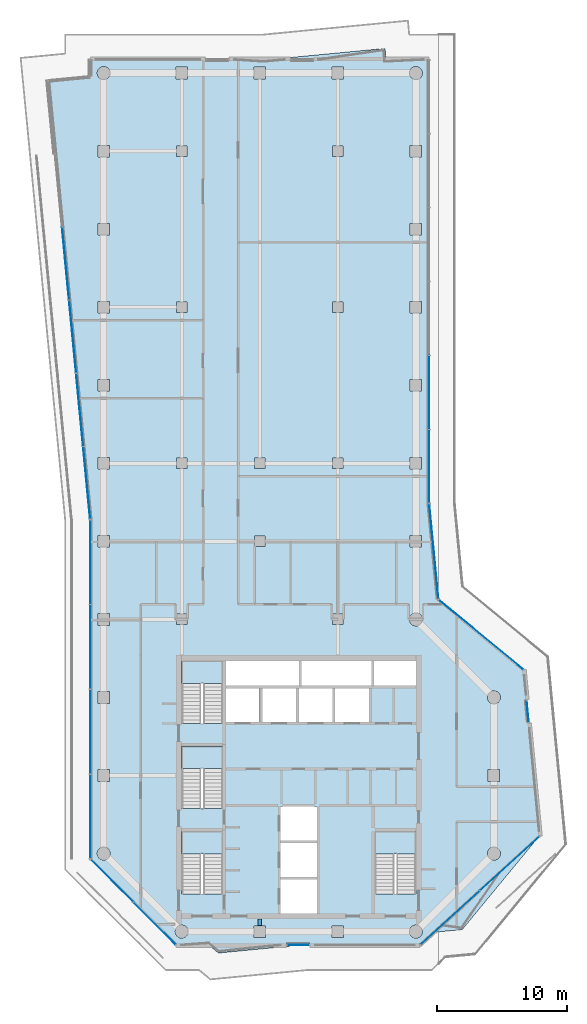
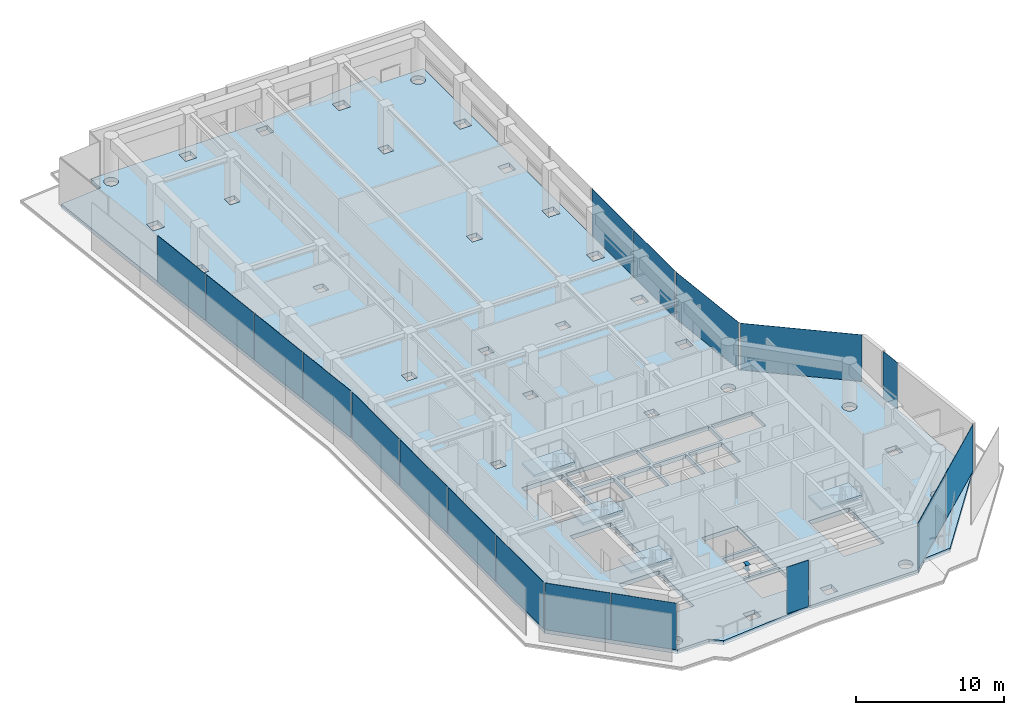
# One storey, part 17 of 23: 18 plates, 5 slabs, 1 beam, 13 elements without a shape of their own.
"""IFC4 building model written with IfcOpenShell, lengths in metres."""

from ifc_helpers import new_model, si_unit, direction, frame, origin, origin_2d, place, context, subcontext, project, spatial, polyline, rectangle, i_section, outline, extrude, material, layer, layer_set, material_profile, profile_set, type_object, element, aggregate, save


model = new_model("IFC4")

# Units and contexts
model_context = context("Model", 3, precision=1e-05, world=origin(), true_north=direction((0.0, 1.0)))
body_context = subcontext(model_context, "Body", "Model", "MODEL_VIEW")
ifc_project = project(units=[si_unit("LENGTHUNIT", "METRE"), si_unit("AREAUNIT", "SQUARE_METRE"), si_unit("VOLUMEUNIT", "CUBIC_METRE"), si_unit("PLANEANGLEUNIT", "RADIAN"), si_unit("MASSUNIT", "GRAM", prefix="KILO")], contexts=[model_context])

# Site, building, storey
site_placement = place(None, origin())
site = spatial("IfcSite", under=ifc_project, at=site_placement, CompositionType="ELEMENT")
building_placement = place(site_placement, origin())
building = spatial("IfcBuilding", under=site, at=building_placement, Name="Welwitschia Terrace Campus", CompositionType="ELEMENT")
storey_placement = place(building_placement, frame((0.0, 0.0, 205.39990234375)))
storey = spatial("IfcBuildingStorey", under=building, at=storey_placement, Name="L45", CompositionType="ELEMENT", Elevation=205.39990234375)

# Beam
ifc_material_1 = material(Name="Steel S355", Category="steel")
ifc_material_profile = material_profile(ifc_material_1, i_section(OverallWidth=0.300048828125, OverallDepth=0.489990234375, WebThickness=0.011962890625, FlangeThickness=0.02294921875, FilletRadius=0.027099609375, at=origin_2d()))
ifc_profile_set = profile_set([ifc_material_profile], Name="Steel S355")
beam_type = type_object("IfcBeamType", Name="Primary beam HE 500 A", PredefinedType="BEAM", material=ifc_profile_set)
beam_placement = place(storey_placement, frame((12.0, 4.450439453125, 3.60498046875), z_axis=(0.0, 1.0, 0.0), x_axis=(-1.0, 0.0, 0.0)))
element("IfcBeam", 1, at=beam_placement, inside=storey, type_object=beam_type, Name="Primary beam PB5", PredefinedType="BEAM", context=body_context, shape_type="SweptSolid", body=[
    extrude(i_section(OverallWidth=0.300048828125, OverallDepth=0.489990234375, WebThickness=0.011962890625, FlangeThickness=0.02294921875, FilletRadius=0.027099609375, at=origin_2d()), origin(), (0.0, 0.0, 1.0), 0.49951171875),
])

# Curtain wall, plates
ifc_material_2 = material(Name="Bronze anodised aluminium", Category="aluminium")
ifc_layer_1 = layer(ifc_material_2, 0.1201171875)
ifc_layer_set_1 = layer_set([ifc_layer_1], Name="Bronze anodised aluminium")
curtain_wall_type = type_object("IfcCurtainWallType", Name="Curtain wall CW2 tower 6000", PredefinedType="NOTDEFINED", material=ifc_layer_set_1)
curtain_wall_1_placement = place(storey_placement, origin())
curtain_wall_1 = element("IfcCurtainWall", 2, at=curtain_wall_1_placement, inside=storey, type_object=curtain_wall_type, Name="CW L45.0.0", PredefinedType="NOTDEFINED")
ifc_material_3 = material(Name="Tinted bronze-grey glass", Category="glass")
ifc_layer_2 = layer(ifc_material_3, 0.028076171875)
ifc_layer_set_2 = layer_set([ifc_layer_2], Name="Tinted bronze-grey glass")
plate_type = type_object("IfcPlateType", Name="Glass panel 28 tinted", PredefinedType="CURTAIN_PANEL", material=ifc_layer_set_2)
plate_1_placement = place(storey_placement, frame((-1.030029296875, 32.390625, 0.0), z_axis=(0.0, 0.0, 1.0), x_axis=(0.0, -1.0, 0.0)))
plate_1 = element("IfcPlate", 3, at=plate_1_placement, type_object=plate_type, Name="Panel L45.0.0.0", PredefinedType="CURTAIN_PANEL", context=body_context, shape_type="SweptSolid", body=[
    extrude(rectangle(XDim=6.43359375, YDim=0.028076171875, at=origin_2d()), origin(), (0.0, 0.0, 1.0), 3.85009765625),
])
plate_2_placement = place(storey_placement, frame((-1.030029296875, 25.882080078125, 0.0), z_axis=(0.0, 0.0, 1.0), x_axis=(0.0, -1.0, 0.0)))
plate_2 = element("IfcPlate", 4, at=plate_2_placement, type_object=plate_type, Name="Panel L45.0.0.1", PredefinedType="CURTAIN_PANEL", context=body_context, shape_type="SweptSolid", body=[
    extrude(rectangle(XDim=6.463623046875, YDim=0.028076171875, at=origin_2d()), origin(), (0.0, 0.0, 1.0), 3.85009765625),
])
plate_3_placement = place(storey_placement, frame((-1.030029296875, 19.358642578125, 0.0), z_axis=(0.0, 0.0, 1.0), x_axis=(0.0, -1.0, 0.0)))
plate_3 = element("IfcPlate", 5, at=plate_3_placement, type_object=plate_type, Name="Panel L45.0.0.2", PredefinedType="CURTAIN_PANEL", context=body_context, shape_type="SweptSolid", body=[
    extrude(rectangle(XDim=6.463623046875, YDim=0.028076171875, at=origin_2d()), origin(), (0.0, 0.0, 1.0), 3.85009765625),
])
plate_4_placement = place(storey_placement, frame((-1.030029296875, 12.85009765625, 0.0), z_axis=(0.0, 0.0, 1.0), x_axis=(0.0, -1.0, 0.0)))
plate_4 = element("IfcPlate", 6, at=plate_4_placement, type_object=plate_type, Name="Panel L45.0.0.3", PredefinedType="CURTAIN_PANEL", context=body_context, shape_type="SweptSolid", body=[
    extrude(rectangle(XDim=6.43359375, YDim=0.028076171875, at=origin_2d()), origin(), (0.0, 0.0, 1.0), 3.85009765625),
])
aggregate(curtain_wall_1, [plate_1, plate_2, plate_3, plate_4])

curtain_wall_2_placement = place(storey_placement, origin())
curtain_wall_2 = element("IfcCurtainWall", 7, at=curtain_wall_2_placement, inside=storey, type_object=curtain_wall_type, Name="CW L45.1.0", PredefinedType="NOTDEFINED")
plate_5_placement = place(storey_placement, frame((0.63134765625, 7.911865234375, 0.0), z_axis=(0.0, 0.0, 1.0), x_axis=(0.707106781187, -0.707106781187, 0.0)))
plate_5 = element("IfcPlate", 8, at=plate_5_placement, type_object=plate_type, Name="Panel L45.1.0.0", PredefinedType="CURTAIN_PANEL", context=body_context, shape_type="SweptSolid", body=[
    extrude(rectangle(XDim=4.579345703125, YDim=0.028076171875, at=origin_2d()), origin(), (0.0, 0.0, 1.0), 3.85009765625),
])
plate_6_placement = place(storey_placement, frame((3.911865234375, 4.63134765625, 0.0), z_axis=(0.0, 0.0, 1.0), x_axis=(0.707106781187, -0.707106781187, 0.0)))
plate_6 = element("IfcPlate", 9, at=plate_6_placement, type_object=plate_type, Name="Panel L45.1.0.1", PredefinedType="CURTAIN_PANEL", context=body_context, shape_type="SweptSolid", body=[
    extrude(rectangle(XDim=4.579345703125, YDim=0.028076171875, at=origin_2d()), origin(), (0.0, 0.0, 1.0), 3.85009765625),
])
aggregate(curtain_wall_2, [plate_5, plate_6])

# Curtain wall, plate
curtain_wall_3_placement = place(storey_placement, origin())
curtain_wall_3 = element("IfcCurtainWall", 10, at=curtain_wall_3_placement, inside=storey, type_object=curtain_wall_type, Name="CW L45.2.S0", PredefinedType="NOTDEFINED")
plate_7_placement = place(storey_placement, frame((14.953369140625, 2.969970703125, 0.0), z_axis=(0.0, 0.0, 1.0), x_axis=(1.0, 0.0, 0.0)))
plate_7 = element("IfcPlate", 11, at=plate_7_placement, type_object=plate_type, Name="Panel L45.2.S0.0", PredefinedType="CURTAIN_PANEL", context=body_context, shape_type="SweptSolid", body=[
    extrude(rectangle(XDim=1.679931640625, YDim=0.028076171875, at=origin_2d()), origin(), (0.0, 0.0, 1.0), 3.85009765625),
])
aggregate(curtain_wall_3, [plate_7])

# Curtain wall, plates
curtain_wall_4_placement = place(storey_placement, origin())
curtain_wall_4 = element("IfcCurtainWall", 12, at=curtain_wall_4_placement, inside=storey, type_object=curtain_wall_type, Name="CW L45.3.0", PredefinedType="NOTDEFINED")
plate_8_placement = place(storey_placement, frame((26.6416015625, 5.070556640625, 0.0), z_axis=(0.0, 0.0, 1.0), x_axis=(0.739585904921, 0.673062173385, 0.0)))
plate_8 = element("IfcPlate", 13, at=plate_8_placement, type_object=plate_type, Name="Panel L45.3.0.0", PredefinedType="CURTAIN_PANEL", context=body_context, shape_type="SweptSolid", body=[
    extrude(rectangle(XDim=6.12158203125, YDim=0.028076171875, at=origin_2d()), origin(), (0.0, 0.0, 1.0), 3.85009765625),
])
plate_9_placement = place(storey_placement, frame((31.21337890625, 9.231201171875, 0.0), z_axis=(0.0, 0.0, 1.0), x_axis=(0.739585904921, 0.673062173385, 0.0)))
plate_9 = element("IfcPlate", 14, at=plate_9_placement, type_object=plate_type, Name="Panel L45.3.0.1", PredefinedType="CURTAIN_PANEL", context=body_context, shape_type="SweptSolid", body=[
    extrude(rectangle(XDim=6.12158203125, YDim=0.028076171875, at=origin_2d()), origin(), (0.0, 0.0, 1.0), 3.85009765625),
])
aggregate(curtain_wall_4, [plate_8, plate_9])

# Curtain wall, plate
curtain_wall_5_placement = place(storey_placement, origin())
curtain_wall_5 = element("IfcCurtainWall", 15, at=curtain_wall_5_placement, inside=storey, type_object=curtain_wall_type, Name="CW L45.4.S0", PredefinedType="NOTDEFINED")
plate_10_placement = place(storey_placement, frame((32.59765625, 20.92724609375, 0.0), z_axis=(0.0, 0.0, 1.0), x_axis=(-0.09584575252, 0.995396198367, 0.0)))
plate_10 = element("IfcPlate", 16, at=plate_10_placement, type_object=plate_type, Name="Panel L45.4.S0.0", PredefinedType="CURTAIN_PANEL", context=body_context, shape_type="SweptSolid", body=[
    extrude(rectangle(XDim=1.679931640625, YDim=0.028076171875, at=origin_2d()), origin(), (0.0, 0.0, 1.0), 3.85009765625),
])
aggregate(curtain_wall_5, [plate_10])

curtain_wall_6_placement = place(storey_placement, origin())
curtain_wall_6 = element("IfcCurtainWall", 17, at=curtain_wall_6_placement, inside=storey, type_object=curtain_wall_type, Name="CW L45.5.0", PredefinedType="NOTDEFINED")
plate_11_placement = place(storey_placement, frame((29.015869140625, 26.824462890625, 0.0), z_axis=(0.0, 0.0, 1.0), x_axis=(-0.771624583388, 0.636078220278, 0.0)))
plate_11 = element("IfcPlate", 18, at=plate_11_placement, type_object=plate_type, Name="Panel L45.5.0.0", PredefinedType="CURTAIN_PANEL", context=body_context, shape_type="SweptSolid", body=[
    extrude(rectangle(XDim=8.365234375, YDim=0.028076171875, at=origin_2d()), origin(), (0.0, 0.0, 1.0), 3.85009765625),
])
aggregate(curtain_wall_6, [plate_11])

curtain_wall_7_placement = place(storey_placement, origin())
curtain_wall_7 = element("IfcCurtainWall", 19, at=curtain_wall_7_placement, inside=storey, type_object=curtain_wall_type, Name="CW L45.6.0", PredefinedType="NOTDEFINED")
plate_12_placement = place(storey_placement, frame((25.385986328125, 33.22119140625, 0.0), z_axis=(0.0, 0.0, 1.0), x_axis=(-0.09584575252, 0.995396198367, 0.0)))
plate_12 = element("IfcPlate", 20, at=plate_12_placement, type_object=plate_type, Name="Panel L45.6.0.0", PredefinedType="CURTAIN_PANEL", context=body_context, shape_type="SweptSolid", body=[
    extrude(rectangle(XDim=7.310302734375, YDim=0.028076171875, at=origin_2d()), origin(), (0.0, 0.0, 1.0), 3.85009765625),
])
aggregate(curtain_wall_7, [plate_12])

# Curtain wall, plates
curtain_wall_8_placement = place(storey_placement, origin())
curtain_wall_8 = element("IfcCurtainWall", 21, at=curtain_wall_8_placement, inside=storey, type_object=curtain_wall_type, Name="CW L45.7.0", PredefinedType="NOTDEFINED")
plate_13_placement = place(storey_placement, frame((25.030029296875, 39.77685546875, 0.0), z_axis=(0.0, 0.0, 1.0), x_axis=(0.0, 1.0, 0.0)))
plate_13 = element("IfcPlate", 22, at=plate_13_placement, type_object=plate_type, Name="Panel L45.7.0.0", PredefinedType="CURTAIN_PANEL", context=body_context, shape_type="SweptSolid", body=[
    extrude(rectangle(XDim=5.59521484375, YDim=0.028076171875, at=origin_2d()), origin(), (0.0, 0.0, 1.0), 3.85009765625),
])
plate_14_placement = place(storey_placement, frame((25.030029296875, 45.447021484375, 0.0), z_axis=(0.0, 0.0, 1.0), x_axis=(0.0, 1.0, 0.0)))
plate_14 = element("IfcPlate", 23, at=plate_14_placement, type_object=plate_type, Name="Panel L45.7.0.1", PredefinedType="CURTAIN_PANEL", context=body_context, shape_type="SweptSolid", body=[
    extrude(rectangle(XDim=5.625244140625, YDim=0.028076171875, at=origin_2d()), origin(), (0.0, 0.0, 1.0), 3.85009765625),
])
aggregate(curtain_wall_8, [plate_13, plate_14])

curtain_wall_9_placement = place(storey_placement, origin())
curtain_wall_9 = element("IfcCurtainWall", 24, at=curtain_wall_9_placement, inside=storey, type_object=curtain_wall_type, Name="CW L45.11.0", PredefinedType="NOTDEFINED")
plate_15_placement = place(storey_placement, frame((-2.926513671875, 55.36376953125, 0.0), z_axis=(0.0, 0.0, 1.0), x_axis=(0.09584575252, -0.995396198367, 0.0)))
plate_15 = element("IfcPlate", 25, at=plate_15_placement, type_object=plate_type, Name="Panel L45.11.0.2", PredefinedType="CURTAIN_PANEL", context=body_context, shape_type="SweptSolid", body=[
    extrude(rectangle(XDim=5.593505859375, YDim=0.028076171875, at=origin_2d()), origin(), (0.0, 0.0, 1.0), 3.85009765625),
])
plate_16_placement = place(storey_placement, frame((-2.384765625, 49.736328125, 0.0), z_axis=(0.0, 0.0, 1.0), x_axis=(0.09584575252, -0.995396198367, 0.0)))
plate_16 = element("IfcPlate", 26, at=plate_16_placement, type_object=plate_type, Name="Panel L45.11.0.3", PredefinedType="CURTAIN_PANEL", context=body_context, shape_type="SweptSolid", body=[
    extrude(rectangle(XDim=5.593505859375, YDim=0.028076171875, at=origin_2d()), origin(), (0.0, 0.0, 1.0), 3.85009765625),
])
plate_17_placement = place(storey_placement, frame((-1.8427734375, 44.108642578125, 0.0), z_axis=(0.0, 0.0, 1.0), x_axis=(0.09584575252, -0.995396198367, 0.0)))
plate_17 = element("IfcPlate", 27, at=plate_17_placement, type_object=plate_type, Name="Panel L45.11.0.4", PredefinedType="CURTAIN_PANEL", context=body_context, shape_type="SweptSolid", body=[
    extrude(rectangle(XDim=5.593505859375, YDim=0.028076171875, at=origin_2d()), origin(), (0.0, 0.0, 1.0), 3.85009765625),
])
plate_18_placement = place(storey_placement, frame((-1.302490234375, 38.49609375, 0.0), z_axis=(0.0, 0.0, 1.0), x_axis=(0.09584575252, -0.995396198367, 0.0)))
plate_18 = element("IfcPlate", 28, at=plate_18_placement, type_object=plate_type, Name="Panel L45.11.0.5", PredefinedType="CURTAIN_PANEL", context=body_context, shape_type="SweptSolid", body=[
    extrude(rectangle(XDim=5.5634765625, YDim=0.028076171875, at=origin_2d()), origin(), (0.0, 0.0, 1.0), 3.85009765625),
])
aggregate(curtain_wall_9, [plate_15, plate_16, plate_17, plate_18])

# Stair, slab
ifc_material_4 = material(Name="Concrete C40/50", Category="concrete")
stair_type = type_object("IfcStairType", Name="Stair 24R 175 W1500", PredefinedType="HALF_TURN_STAIR", material=ifc_material_4)
stair_1_placement = place(storey_placement, origin())
stair_1 = element("IfcStair", 29, at=stair_1_placement, inside=storey, type_object=stair_type, Name="L45 Exit stair S1", PredefinedType="HALF_TURN_STAIR")
ifc_material_5 = material(Name="Concrete C40/50", Category="concrete")
ifc_layer_3 = layer(ifc_material_5, 0.199951171875)
ifc_layer_set_3 = layer_set([ifc_layer_3], Name="Concrete C40/50")
slab_type_1 = type_object("IfcSlabType", Name="Stair landing RC", PredefinedType="LANDING", material=ifc_layer_set_3)
slab_1_placement = place(storey_placement, frame((0.0, 0.0, 1.900146484375)))
slab_1 = element("IfcSlab", 30, at=slab_1_placement, type_object=slab_type_1, Name="S1 landing 1", PredefinedType="LANDING", context=body_context, shape_type="SweptSolid", body=[
    extrude(outline(polyline([(9.14990234375, 9.97998046875), (9.14990234375, 11.699951171875), (6.0, 11.699951171875), (6.0, 9.97998046875), (9.14990234375, 9.97998046875)])), origin(), (0.0, 0.0, 1.0), 0.199951171875),
])
aggregate(stair_1, [slab_1])

stair_2_placement = place(storey_placement, origin())
stair_2 = element("IfcStair", 31, at=stair_2_placement, inside=storey, type_object=stair_type, Name="L45 Exit stair S3", PredefinedType="HALF_TURN_STAIR")
slab_2_placement = place(storey_placement, frame((0.0, 0.0, 1.900146484375)))
slab_2 = element("IfcSlab", 32, at=slab_2_placement, type_object=slab_type_1, Name="S3 landing 1", PredefinedType="LANDING", context=body_context, shape_type="SweptSolid", body=[
    extrude(outline(polyline([(9.14990234375, 16.530029296875), (9.14990234375, 18.25), (6.0, 18.25), (6.0, 16.530029296875), (9.14990234375, 16.530029296875)])), origin(), (0.0, 0.0, 1.0), 0.199951171875),
])
aggregate(stair_2, [slab_2])

stair_3_placement = place(storey_placement, origin())
stair_3 = element("IfcStair", 33, at=stair_3_placement, inside=storey, type_object=stair_type, Name="L45 Exit stair S4", PredefinedType="HALF_TURN_STAIR")
slab_3_placement = place(storey_placement, frame((0.0, 0.0, 1.900146484375)))
slab_3 = element("IfcSlab", 34, at=slab_3_placement, type_object=slab_type_1, Name="S4 landing 1", PredefinedType="LANDING", context=body_context, shape_type="SweptSolid", body=[
    extrude(outline(polyline([(9.14990234375, 23.080078125), (9.14990234375, 24.800048828125), (6.0, 24.800048828125), (6.0, 23.080078125), (9.14990234375, 23.080078125)])), origin(), (0.0, 0.0, 1.0), 0.199951171875),
])
aggregate(stair_3, [slab_3])

stair_4_placement = place(storey_placement, origin())
stair_4 = element("IfcStair", 35, at=stair_4_placement, inside=storey, type_object=stair_type, Name="L45 Exit stair S2", PredefinedType="HALF_TURN_STAIR")
slab_4_placement = place(storey_placement, frame((0.0, 0.0, 1.900146484375)))
slab_4 = element("IfcSlab", 36, at=slab_4_placement, type_object=slab_type_1, Name="S2 landing 1", PredefinedType="LANDING", context=body_context, shape_type="SweptSolid", body=[
    extrude(outline(polyline([(24.0, 9.97998046875), (24.0, 11.699951171875), (20.85009765625, 11.699951171875), (20.85009765625, 9.97998046875), (24.0, 9.97998046875)])), origin(), (0.0, 0.0, 1.0), 0.199951171875),
])
aggregate(stair_4, [slab_4])

# Slab
ifc_material_6 = material(Name="Concrete C40/50", Category="concrete")
ifc_layer_4 = layer(ifc_material_6, 0.35009765625)
ifc_layer_set_4 = layer_set([ifc_layer_4], Name="Concrete C40/50")
slab_type_2 = type_object("IfcSlabType", Name="Suspended floor slab 350", PredefinedType="FLOOR", material=ifc_layer_set_4)
slab_5_placement = place(storey_placement, frame((0.0, 0.0, -0.349853515625)))
element("IfcSlab", 37, at=slab_5_placement, inside=storey, type_object=slab_type_2, Name="Floor slab L45", PredefinedType="FLOOR", context=body_context, shape_type="SweptSolid", body=[
    extrude(outline(polyline([(-4.24853515625, 69.405517578125), (-1.0, 69.71826171875), (-1.0, 71.0), (12.310546875, 71.0), (21.6318359375, 71.8974609375), (21.71826171875, 71.0), (25.0, 71.0), (25.0, 36.917724609375), (25.71337890625, 29.5078125), (32.260986328125, 24.110595703125), (33.490478515625, 11.341064453125), (27.566162109375, 4.154541015625), (25.355712890625, 3.941650390625), (24.414306640625, 3.0), (15.57666015625, 3.0), (8.824462890625, 2.349853515625), (8.035888671875, 3.0), (5.585693359375, 3.0), (-1.0, 9.585693359375), (-1.0, 35.6689453125), (-4.24853515625, 69.405517578125)]), holes=[polyline([(6.353515625, 3.646484375), (6.415771484375, 3.72216796875), (6.4619140625, 3.80859375), (6.490478515625, 3.90234375), (6.5, 4.0), (6.490478515625, 4.09765625), (6.4619140625, 4.19140625), (6.415771484375, 4.27783203125), (6.353515625, 4.353515625), (6.27783203125, 4.415771484375), (6.19140625, 4.4619140625), (6.09765625, 4.490478515625), (6.0, 4.5), (5.90234375, 4.490478515625), (5.80859375, 4.4619140625), (5.72216796875, 4.415771484375), (5.646484375, 4.353515625), (5.584228515625, 4.27783203125), (5.5380859375, 4.19140625), (5.509521484375, 4.09765625), (5.5, 4.0), (5.509521484375, 3.90234375), (5.5380859375, 3.80859375), (5.584228515625, 3.72216796875), (5.646484375, 3.646484375), (5.72216796875, 3.584228515625), (5.80859375, 3.5380859375), (5.90234375, 3.509521484375), (6.0, 3.5), (6.09765625, 3.509521484375), (6.19140625, 3.5380859375), (6.27783203125, 3.584228515625), (6.353515625, 3.646484375)]), polyline([(0.27783203125, 9.584228515625), (0.353515625, 9.646484375), (0.415771484375, 9.72216796875), (0.4619140625, 9.80859375), (0.490478515625, 9.90234375), (0.5, 10.0), (0.490478515625, 10.09765625), (0.4619140625, 10.19140625), (0.415771484375, 10.27783203125), (0.353515625, 10.353515625), (0.27783203125, 10.415771484375), (0.19140625, 10.4619140625), (0.09765625, 10.490478515625), (0.0, 10.5), (-0.09765625, 10.490478515625), (-0.19140625, 10.4619140625), (-0.27783203125, 10.415771484375), (-0.353515625, 10.353515625), (-0.415771484375, 10.27783203125), (-0.4619140625, 10.19140625), (-0.490478515625, 10.09765625), (-0.5, 10.0), (-0.490478515625, 9.90234375), (-0.4619140625, 9.80859375), (-0.415771484375, 9.72216796875), (-0.353515625, 9.646484375), (-0.27783203125, 9.584228515625), (-0.19140625, 9.5380859375), (-0.09765625, 9.509521484375), (0.0, 9.5), (0.09765625, 9.509521484375), (0.19140625, 9.5380859375), (0.27783203125, 9.584228515625)]), polyline([(6.0, 13.451904296875), (9.14990234375, 13.451904296875), (9.14990234375, 18.25), (6.0, 18.25), (6.0, 13.451904296875)]), polyline([(0.449951171875, 15.550048828125), (0.449951171875, 16.449951171875), (-0.449951171875, 16.449951171875), (-0.449951171875, 15.550048828125), (0.449951171875, 15.550048828125)]), polyline([(-0.449951171875, 21.550048828125), (0.449951171875, 21.550048828125), (0.449951171875, 22.449951171875), (-0.449951171875, 22.449951171875), (-0.449951171875, 21.550048828125)]), polyline([(-0.449951171875, 27.550048828125), (0.449951171875, 27.550048828125), (0.449951171875, 28.449951171875), (-0.449951171875, 28.449951171875), (-0.449951171875, 27.550048828125)]), polyline([(6.39990234375, 27.60009765625), (6.39990234375, 28.39990234375), (5.60009765625, 28.39990234375), (5.60009765625, 27.60009765625), (6.39990234375, 27.60009765625)]), polyline([(-0.449951171875, 33.550048828125), (0.449951171875, 33.550048828125), (0.449951171875, 34.449951171875), (-0.449951171875, 34.449951171875), (-0.449951171875, 33.550048828125)]), polyline([(-0.449951171875, 39.550048828125), (0.449951171875, 39.550048828125), (0.449951171875, 40.449951171875), (-0.449951171875, 40.449951171875), (-0.449951171875, 39.550048828125)]), polyline([(5.60009765625, 39.60009765625), (6.39990234375, 39.60009765625), (6.39990234375, 40.39990234375), (5.60009765625, 40.39990234375), (5.60009765625, 39.60009765625)]), polyline([(-0.449951171875, 45.550048828125), (0.449951171875, 45.550048828125), (0.449951171875, 46.449951171875), (-0.449951171875, 46.449951171875), (-0.449951171875, 45.550048828125)]), polyline([(-0.449951171875, 51.550048828125), (0.449951171875, 51.550048828125), (0.449951171875, 52.449951171875), (-0.449951171875, 52.449951171875), (-0.449951171875, 51.550048828125)]), polyline([(5.60009765625, 51.60009765625), (6.39990234375, 51.60009765625), (6.39990234375, 52.39990234375), (5.60009765625, 52.39990234375), (5.60009765625, 51.60009765625)]), polyline([(0.449951171875, 57.550048828125), (0.449951171875, 58.449951171875), (-0.449951171875, 58.449951171875), (-0.449951171875, 57.550048828125), (0.449951171875, 57.550048828125)]), polyline([(-0.449951171875, 63.550048828125), (0.449951171875, 63.550048828125), (0.449951171875, 64.449951171875), (-0.449951171875, 64.449951171875), (-0.449951171875, 63.550048828125)]), polyline([(5.60009765625, 63.60009765625), (6.39990234375, 63.60009765625), (6.39990234375, 64.39990234375), (5.60009765625, 64.39990234375), (5.60009765625, 63.60009765625)]), polyline([(0.353515625, 69.646484375), (0.415771484375, 69.72216796875), (0.4619140625, 69.80859375), (0.490478515625, 69.90234375), (0.5, 70.0), (0.490478515625, 70.09765625), (0.4619140625, 70.19140625), (0.415771484375, 70.27783203125), (0.353515625, 70.353515625), (0.27783203125, 70.415771484375), (0.19140625, 70.4619140625), (0.09765625, 70.490478515625), (0.0, 70.5), (-0.09765625, 70.490478515625), (-0.19140625, 70.4619140625), (-0.27783203125, 70.415771484375), (-0.353515625, 70.353515625), (-0.415771484375, 70.27783203125), (-0.4619140625, 70.19140625), (-0.490478515625, 70.09765625), (-0.5, 70.0), (-0.490478515625, 69.90234375), (-0.4619140625, 69.80859375), (-0.415771484375, 69.72216796875), (-0.353515625, 69.646484375), (-0.27783203125, 69.584228515625), (-0.19140625, 69.5380859375), (-0.09765625, 69.509521484375), (0.0, 69.5), (0.09765625, 69.509521484375), (0.19140625, 69.5380859375), (0.27783203125, 69.584228515625), (0.353515625, 69.646484375)]), polyline([(5.550048828125, 69.550048828125), (6.449951171875, 69.550048828125), (6.449951171875, 70.449951171875), (5.550048828125, 70.449951171875), (5.550048828125, 69.550048828125)]), polyline([(17.550048828125, 3.550048828125), (18.449951171875, 3.550048828125), (18.449951171875, 4.449951171875), (17.550048828125, 4.449951171875), (17.550048828125, 3.550048828125)]), polyline([(12.449951171875, 3.550048828125), (12.449951171875, 4.449951171875), (11.550048828125, 4.449951171875), (11.550048828125, 3.550048828125), (12.449951171875, 3.550048828125)]), polyline([(13.60009765625, 5.39990234375), (16.39990234375, 5.39990234375), (16.39990234375, 8.0), (13.60009765625, 8.0), (13.60009765625, 5.39990234375)]), polyline([(6.0, 6.902099609375), (9.14990234375, 6.902099609375), (9.14990234375, 11.699951171875), (6.0, 11.699951171875), (6.0, 6.902099609375)]), polyline([(13.60009765625, 8.199951171875), (16.39990234375, 8.199951171875), (16.39990234375, 10.800048828125), (13.60009765625, 10.800048828125), (13.60009765625, 8.199951171875)]), polyline([(13.60009765625, 11.0), (16.39990234375, 11.0), (16.39990234375, 13.60009765625), (13.60009765625, 13.60009765625), (13.60009765625, 11.0)]), polyline([(12.199951171875, 20.10009765625), (14.800048828125, 20.10009765625), (14.800048828125, 22.699951171875), (12.199951171875, 22.699951171875), (12.199951171875, 20.10009765625)]), polyline([(15.0, 20.10009765625), (17.60009765625, 20.10009765625), (17.60009765625, 22.699951171875), (15.0, 22.699951171875), (15.0, 20.10009765625)]), polyline([(12.0, 20.10009765625), (12.0, 22.699951171875), (9.39990234375, 22.699951171875), (9.39990234375, 20.10009765625), (12.0, 20.10009765625)]), polyline([(6.0, 20.001953125), (9.14990234375, 20.001953125), (9.14990234375, 24.800048828125), (6.0, 24.800048828125), (6.0, 20.001953125)]), polyline([(9.39990234375, 22.89990234375), (15.0, 22.89990234375), (15.0, 24.800048828125), (9.39990234375, 24.800048828125), (9.39990234375, 22.89990234375)]), polyline([(20.60009765625, 22.89990234375), (20.60009765625, 24.800048828125), (15.199951171875, 24.800048828125), (15.199951171875, 22.89990234375), (20.60009765625, 22.89990234375)]), polyline([(11.60009765625, 33.60009765625), (12.39990234375, 33.60009765625), (12.39990234375, 34.39990234375), (11.60009765625, 34.39990234375), (11.60009765625, 33.60009765625)]), polyline([(11.60009765625, 39.60009765625), (12.39990234375, 39.60009765625), (12.39990234375, 40.39990234375), (11.60009765625, 40.39990234375), (11.60009765625, 39.60009765625)]), polyline([(18.39990234375, 51.60009765625), (18.39990234375, 52.39990234375), (17.60009765625, 52.39990234375), (17.60009765625, 51.60009765625), (18.39990234375, 51.60009765625)]), polyline([(17.60009765625, 63.60009765625), (18.39990234375, 63.60009765625), (18.39990234375, 64.39990234375), (17.60009765625, 64.39990234375), (17.60009765625, 63.60009765625)]), polyline([(11.550048828125, 69.550048828125), (12.449951171875, 69.550048828125), (12.449951171875, 70.449951171875), (11.550048828125, 70.449951171875), (11.550048828125, 69.550048828125)]), polyline([(17.550048828125, 69.550048828125), (18.449951171875, 69.550048828125), (18.449951171875, 70.449951171875), (17.550048828125, 70.449951171875), (17.550048828125, 69.550048828125)]), polyline([(24.27783203125, 3.584228515625), (24.353515625, 3.646484375), (24.415771484375, 3.72216796875), (24.4619140625, 3.80859375), (24.490478515625, 3.90234375), (24.5, 4.0), (24.490478515625, 4.09765625), (24.4619140625, 4.19140625), (24.415771484375, 4.27783203125), (24.353515625, 4.353515625), (24.27783203125, 4.415771484375), (24.19140625, 4.4619140625), (24.09765625, 4.490478515625), (24.0, 4.5), (23.90234375, 4.490478515625), (23.80859375, 4.4619140625), (23.72216796875, 4.415771484375), (23.646484375, 4.353515625), (23.584228515625, 4.27783203125), (23.5380859375, 4.19140625), (23.509521484375, 4.09765625), (23.5, 4.0), (23.509521484375, 3.90234375), (23.5380859375, 3.80859375), (23.584228515625, 3.72216796875), (23.646484375, 3.646484375), (23.72216796875, 3.584228515625), (23.80859375, 3.5380859375), (23.90234375, 3.509521484375), (24.0, 3.5), (24.09765625, 3.509521484375), (24.19140625, 3.5380859375), (24.27783203125, 3.584228515625)]), polyline([(20.85009765625, 6.902099609375), (24.0, 6.902099609375), (24.0, 11.699951171875), (20.85009765625, 11.699951171875), (20.85009765625, 6.902099609375)]), polyline([(30.27783203125, 9.584228515625), (30.353515625, 9.646484375), (30.415771484375, 9.72216796875), (30.4619140625, 9.80859375), (30.490478515625, 9.90234375), (30.5, 10.0), (30.490478515625, 10.09765625), (30.4619140625, 10.19140625), (30.415771484375, 10.27783203125), (30.353515625, 10.353515625), (30.27783203125, 10.415771484375), (30.19140625, 10.4619140625), (30.09765625, 10.490478515625), (30.0, 10.5), (29.90234375, 10.490478515625), (29.80859375, 10.4619140625), (29.72216796875, 10.415771484375), (29.646484375, 10.353515625), (29.584228515625, 10.27783203125), (29.5380859375, 10.19140625), (29.509521484375, 10.09765625), (29.5, 10.0), (29.509521484375, 9.90234375), (29.5380859375, 9.80859375), (29.584228515625, 9.72216796875), (29.646484375, 9.646484375), (29.72216796875, 9.584228515625), (29.80859375, 9.5380859375), (29.90234375, 9.509521484375), (30.0, 9.5), (30.09765625, 9.509521484375), (30.19140625, 9.5380859375), (30.27783203125, 9.584228515625)]), polyline([(30.449951171875, 15.550048828125), (30.449951171875, 16.449951171875), (29.550048828125, 16.449951171875), (29.550048828125, 15.550048828125), (30.449951171875, 15.550048828125)]), polyline([(17.800048828125, 20.10009765625), (20.39990234375, 20.10009765625), (20.39990234375, 22.699951171875), (17.800048828125, 22.699951171875), (17.800048828125, 20.10009765625)]), polyline([(30.27783203125, 21.584228515625), (30.353515625, 21.646484375), (30.415771484375, 21.72216796875), (30.4619140625, 21.80859375), (30.490478515625, 21.90234375), (30.5, 22.0), (30.490478515625, 22.09765625), (30.4619140625, 22.19140625), (30.415771484375, 22.27783203125), (30.353515625, 22.353515625), (30.27783203125, 22.415771484375), (30.19140625, 22.4619140625), (30.09765625, 22.490478515625), (30.0, 22.5), (29.90234375, 22.490478515625), (29.80859375, 22.4619140625), (29.72216796875, 22.415771484375), (29.646484375, 22.353515625), (29.584228515625, 22.27783203125), (29.5380859375, 22.19140625), (29.509521484375, 22.09765625), (29.5, 22.0), (29.509521484375, 21.90234375), (29.5380859375, 21.80859375), (29.584228515625, 21.72216796875), (29.646484375, 21.646484375), (29.72216796875, 21.584228515625), (29.80859375, 21.5380859375), (29.90234375, 21.509521484375), (30.0, 21.5), (30.09765625, 21.509521484375), (30.19140625, 21.5380859375), (30.27783203125, 21.584228515625)]), polyline([(20.800048828125, 22.89990234375), (24.0, 22.89990234375), (24.0, 24.800048828125), (20.800048828125, 24.800048828125), (20.800048828125, 22.89990234375)]), polyline([(17.60009765625, 27.60009765625), (18.39990234375, 27.60009765625), (18.39990234375, 28.39990234375), (17.60009765625, 28.39990234375), (17.60009765625, 27.60009765625)]), polyline([(24.27783203125, 27.584228515625), (24.353515625, 27.646484375), (24.415771484375, 27.72216796875), (24.4619140625, 27.80859375), (24.490478515625, 27.90234375), (24.5, 28.0), (24.490478515625, 28.09765625), (24.4619140625, 28.19140625), (24.415771484375, 28.27783203125), (24.353515625, 28.353515625), (24.27783203125, 28.415771484375), (24.19140625, 28.4619140625), (24.09765625, 28.490478515625), (24.0, 28.5), (23.90234375, 28.490478515625), (23.80859375, 28.4619140625), (23.72216796875, 28.415771484375), (23.646484375, 28.353515625), (23.584228515625, 28.27783203125), (23.5380859375, 28.19140625), (23.509521484375, 28.09765625), (23.5, 28.0), (23.509521484375, 27.90234375), (23.5380859375, 27.80859375), (23.584228515625, 27.72216796875), (23.646484375, 27.646484375), (23.72216796875, 27.584228515625), (23.80859375, 27.5380859375), (23.90234375, 27.509521484375), (24.0, 27.5), (24.09765625, 27.509521484375), (24.19140625, 27.5380859375), (24.27783203125, 27.584228515625)]), polyline([(23.550048828125, 33.550048828125), (24.449951171875, 33.550048828125), (24.449951171875, 34.449951171875), (23.550048828125, 34.449951171875), (23.550048828125, 33.550048828125)]), polyline([(24.449951171875, 39.550048828125), (24.449951171875, 40.449951171875), (23.550048828125, 40.449951171875), (23.550048828125, 39.550048828125), (24.449951171875, 39.550048828125)]), polyline([(17.60009765625, 39.60009765625), (18.39990234375, 39.60009765625), (18.39990234375, 40.39990234375), (17.60009765625, 40.39990234375), (17.60009765625, 39.60009765625)]), polyline([(23.550048828125, 45.550048828125), (24.449951171875, 45.550048828125), (24.449951171875, 46.449951171875), (23.550048828125, 46.449951171875), (23.550048828125, 45.550048828125)]), polyline([(23.550048828125, 51.550048828125), (24.449951171875, 51.550048828125), (24.449951171875, 52.449951171875), (23.550048828125, 52.449951171875), (23.550048828125, 51.550048828125)]), polyline([(23.550048828125, 57.550048828125), (24.449951171875, 57.550048828125), (24.449951171875, 58.449951171875), (23.550048828125, 58.449951171875), (23.550048828125, 57.550048828125)]), polyline([(23.550048828125, 63.550048828125), (24.449951171875, 63.550048828125), (24.449951171875, 64.449951171875), (23.550048828125, 64.449951171875), (23.550048828125, 63.550048828125)]), polyline([(24.27783203125, 69.584228515625), (24.353515625, 69.646484375), (24.415771484375, 69.72216796875), (24.4619140625, 69.80859375), (24.490478515625, 69.90234375), (24.5, 70.0), (24.490478515625, 70.09765625), (24.4619140625, 70.19140625), (24.415771484375, 70.27783203125), (24.353515625, 70.353515625), (24.27783203125, 70.415771484375), (24.19140625, 70.4619140625), (24.09765625, 70.490478515625), (24.0, 70.5), (23.90234375, 70.490478515625), (23.80859375, 70.4619140625), (23.72216796875, 70.415771484375), (23.646484375, 70.353515625), (23.584228515625, 70.27783203125), (23.5380859375, 70.19140625), (23.509521484375, 70.09765625), (23.5, 70.0), (23.509521484375, 69.90234375), (23.5380859375, 69.80859375), (23.584228515625, 69.72216796875), (23.646484375, 69.646484375), (23.72216796875, 69.584228515625), (23.80859375, 69.5380859375), (23.90234375, 69.509521484375), (24.0, 69.5), (24.09765625, 69.509521484375), (24.19140625, 69.5380859375), (24.27783203125, 69.584228515625)])]), origin(), (0.0, 0.0, 1.0), 0.349853515625),
])

save(model, "model.ifc")
